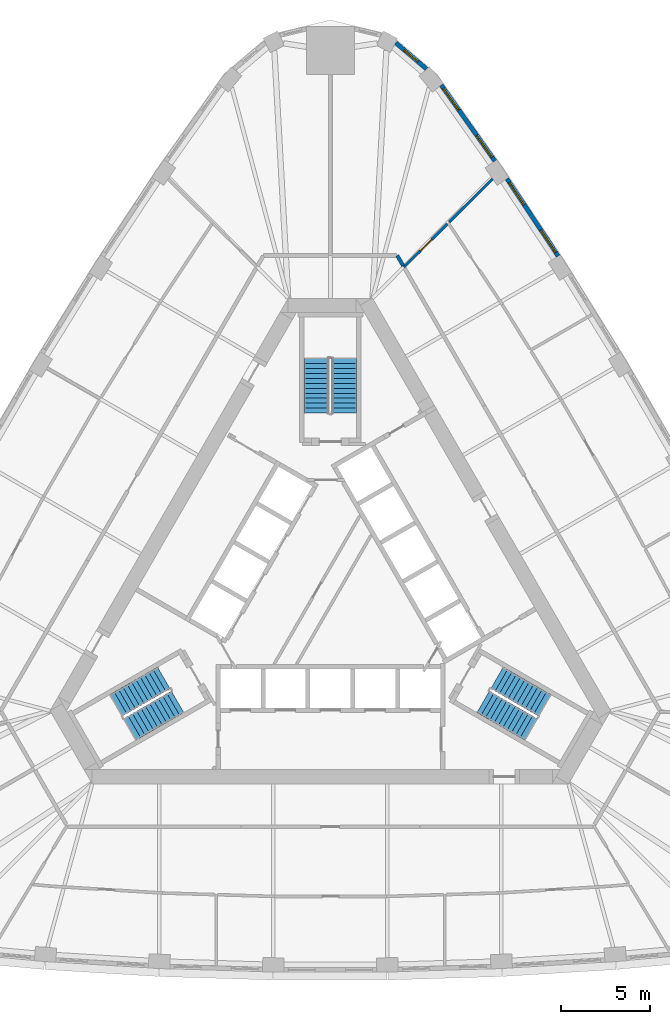
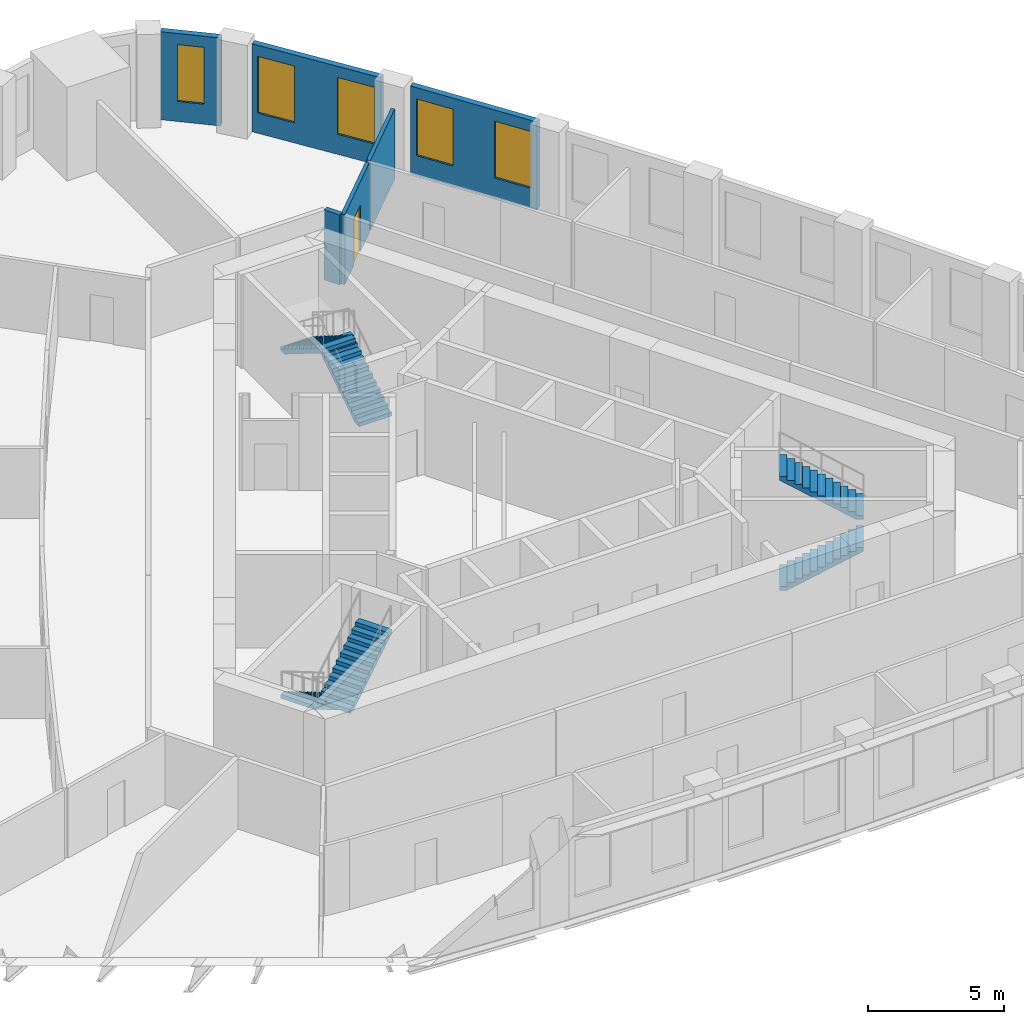
# One storey, part 9 of 10: 6 stair flights, 6 walls, 5 windows, 1 door, 6 openings, 3 elements without a shape of their own.
"""IFC4 building model written with IfcOpenShell, lengths in metres."""

from ifc_helpers import new_model, si_unit, direction, frame, frame_2d, origin, place, context, subcontext, project, spatial, polyline, rectangle, outline, extrude, material, layer, layer_set, type_object, element, fill, aggregate, save


model = new_model("IFC4")

# Units and contexts
model_context = context("Model", 3, precision=1e-05, world=origin(), true_north=direction((0.0, 1.0)))
body_context = subcontext(model_context, "Body", "Model", "MODEL_VIEW")
ifc_project = project(units=[si_unit("LENGTHUNIT", "METRE"), si_unit("AREAUNIT", "SQUARE_METRE"), si_unit("VOLUMEUNIT", "CUBIC_METRE"), si_unit("PLANEANGLEUNIT", "RADIAN"), si_unit("MASSUNIT", "GRAM", prefix="KILO")], contexts=[model_context])

# Site, building, storey
site_placement = place(None, origin())
site = spatial("IfcSite", under=ifc_project, at=site_placement, CompositionType="ELEMENT")
building_placement = place(site_placement, origin())
building = spatial("IfcBuilding", under=site, at=building_placement, Name="Mestral Congress Tower", CompositionType="ELEMENT")
storey_placement = place(building_placement, frame((0.0, 0.0, 150.0)))
storey = spatial("IfcBuildingStorey", under=building, at=storey_placement, Name="L35", CompositionType="ELEMENT", Elevation=150.0)

# Wall, openings, windows
ifc_material_1 = material(Name="Precast concrete C40/50 with limestone facing", Category="masonry")
ifc_layer_1 = layer(ifc_material_1, 0.239990234375)
ifc_layer_set_1 = layer_set([ifc_layer_1], Name="Precast concrete C40/50 with limestone facing")
wall_type_1 = type_object("IfcWallType", Name="Facade stone wall 240", PredefinedType="SOLIDWALL", material=ifc_layer_set_1)
wall_1_placement = place(storey_placement, frame((12.783203125, 19.170654296875, 0.0), z_axis=(0.0, 0.0, 1.0), x_axis=(-0.551892811511, 0.833915058386, 0.0)))
wall_1 = element("IfcWall", 1, at=wall_1_placement, inside=storey, type_object=wall_type_1, Name="Facade wall F1-05", PredefinedType="SOLIDWALL", context=body_context, shape_type="SweptSolid", body=[
    extrude(rectangle(XDim=5.20361328125, YDim=0.239990234375, at=frame_2d((2.601806640625, 0.0))), origin(), (0.0, 0.0, 1.0), 3.949951171875),
])
opening_1_placement = place(wall_1_placement, frame((0.248291015625, 0.0, 0.89990234375)))
opening_1 = element("IfcOpeningElement", 2, at=opening_1_placement, cuts=wall_1, Name="Opening W4", PredefinedType="OPENING", context=body_context, shape_type="SweptSolid", body=[
    extrude(rectangle(XDim=1.5, YDim=2.550048828125, at=frame_2d((0.75, 1.27490234375))), frame((0.0, 0.1298828125, 0.0), z_axis=(0.0, -1.0, 0.0), x_axis=(1.0, 0.0, 0.0)), (0.0, 0.0, 1.0), 0.260009765625),
])
opening_2_placement = place(wall_1_placement, frame((3.455078125, 0.0, 0.89990234375)))
opening_2 = element("IfcOpeningElement", 3, at=opening_2_placement, cuts=wall_1, Name="Opening W4", PredefinedType="OPENING", context=body_context, shape_type="SweptSolid", body=[
    extrude(rectangle(XDim=1.5, YDim=2.550048828125, at=frame_2d((0.75, 1.27490234375))), frame((0.0, 0.1298828125, 0.0), z_axis=(0.0, -1.0, 0.0), x_axis=(1.0, 0.0, 0.0)), (0.0, 0.0, 1.0), 0.260009765625),
])
ifc_material_2 = material(Name="Clear low-emissivity double glazing", Category="glass")
window_type_1 = type_object("IfcWindowType", Name="Facade punched window 1500 x 2550 sill 900", PartitioningType="SINGLE_PANEL", PredefinedType="WINDOW", material=ifc_material_2)
window_1_placement = place(opening_1_placement, origin())
window_1 = element("IfcWindow", 4, at=window_1_placement, inside=storey, type_object=window_type_1, Name="Window F1-05a", OverallHeight=2.550048828125, OverallWidth=1.5, PartitioningType="SINGLE_PANEL", PredefinedType="WINDOW", context=body_context, shape_type="SweptSolid", body=[
    extrude(rectangle(XDim=1.5, YDim=2.550048828125, at=frame_2d((0.75, 1.27490234375))), frame((0.0, 0.0400390625, 0.0), z_axis=(0.0, -1.0, 0.0), x_axis=(1.0, 0.0, 0.0)), (0.0, 0.0, 1.0), 0.06005859375),
])
fill(opening_1, window_1)
window_2_placement = place(opening_2_placement, origin())
window_2 = element("IfcWindow", 5, at=window_2_placement, inside=storey, type_object=window_type_1, Name="Window F1-05b", OverallHeight=2.550048828125, OverallWidth=1.5, PartitioningType="SINGLE_PANEL", PredefinedType="WINDOW", context=body_context, shape_type="SweptSolid", body=[
    extrude(rectangle(XDim=1.5, YDim=2.550048828125, at=frame_2d((0.75, 1.27490234375))), frame((0.0, 0.0400390625, 0.0), z_axis=(0.0, -1.0, 0.0), x_axis=(1.0, 0.0, 0.0)), (0.0, 0.0, 1.0), 0.06005859375),
])
fill(opening_2, window_2)

wall_2_placement = place(storey_placement, frame((9.231201171875, 24.50439453125, 0.0), z_axis=(0.0, 0.0, 1.0), x_axis=(-0.577115207679, 0.816662743772, 0.0)))
wall_2 = element("IfcWall", 6, at=wall_2_placement, inside=storey, type_object=wall_type_1, Name="Facade wall F1-06", PredefinedType="SOLIDWALL", context=body_context, shape_type="SweptSolid", body=[
    extrude(rectangle(XDim=5.213134765625, YDim=0.239990234375, at=frame_2d((2.6064453125, 0.0))), origin(), (0.0, 0.0, 1.0), 3.949951171875),
])
opening_3_placement = place(wall_2_placement, frame((0.2607421875, 0.0, 0.89990234375)))
opening_3 = element("IfcOpeningElement", 7, at=opening_3_placement, cuts=wall_2, Name="Opening W4", PredefinedType="OPENING", context=body_context, shape_type="SweptSolid", body=[
    extrude(rectangle(XDim=1.5, YDim=2.550048828125, at=frame_2d((0.75, 1.27490234375))), frame((0.0, 0.1298828125, 0.0), z_axis=(0.0, -1.0, 0.0), x_axis=(1.0, 0.0, 0.0)), (0.0, 0.0, 1.0), 0.260009765625),
])
opening_4_placement = place(wall_2_placement, frame((3.492431640625, 0.0, 0.89990234375)))
opening_4 = element("IfcOpeningElement", 8, at=opening_4_placement, cuts=wall_2, Name="Opening W4", PredefinedType="OPENING", context=body_context, shape_type="SweptSolid", body=[
    extrude(rectangle(XDim=1.5, YDim=2.550048828125, at=frame_2d((0.75, 1.27490234375))), frame((0.0, 0.1298828125, 0.0), z_axis=(0.0, -1.0, 0.0), x_axis=(1.0, 0.0, 0.0)), (0.0, 0.0, 1.0), 0.260009765625),
])
window_3_placement = place(opening_3_placement, origin())
window_3 = element("IfcWindow", 9, at=window_3_placement, inside=storey, type_object=window_type_1, Name="Window F1-06a", OverallHeight=2.550048828125, OverallWidth=1.5, PartitioningType="SINGLE_PANEL", PredefinedType="WINDOW", context=body_context, shape_type="SweptSolid", body=[
    extrude(rectangle(XDim=1.5, YDim=2.550048828125, at=frame_2d((0.75, 1.27490234375))), frame((0.0, 0.0400390625, 0.0), z_axis=(0.0, -1.0, 0.0), x_axis=(1.0, 0.0, 0.0)), (0.0, 0.0, 1.0), 0.06005859375),
])
fill(opening_3, window_3)
window_4_placement = place(opening_4_placement, origin())
window_4 = element("IfcWindow", 10, at=window_4_placement, inside=storey, type_object=window_type_1, Name="Window F1-06b", OverallHeight=2.550048828125, OverallWidth=1.5, PartitioningType="SINGLE_PANEL", PredefinedType="WINDOW", context=body_context, shape_type="SweptSolid", body=[
    extrude(rectangle(XDim=1.5, YDim=2.550048828125, at=frame_2d((0.75, 1.27490234375))), frame((0.0, 0.0400390625, 0.0), z_axis=(0.0, -1.0, 0.0), x_axis=(1.0, 0.0, 0.0)), (0.0, 0.0, 1.0), 0.06005859375),
])
fill(opening_4, window_4)

# Wall, opening, window
wall_3_placement = place(storey_placement, frame((5.3916015625, 29.672119140625, 0.0), z_axis=(0.0, 0.0, 1.0), x_axis=(-0.761419744247, 0.648259186645, 0.0)))
wall_3 = element("IfcWall", 11, at=wall_3_placement, inside=storey, type_object=wall_type_1, Name="Facade wall K1-0", PredefinedType="SOLIDWALL", context=body_context, shape_type="SweptSolid", body=[
    extrude(rectangle(XDim=2.250244140625, YDim=0.239990234375, at=frame_2d((1.125, 0.0))), origin(), (0.0, 0.0, 1.0), 3.949951171875),
])
opening_5_placement = place(wall_3_placement, frame((0.625244140625, 0.0, 0.89990234375)))
opening_5 = element("IfcOpeningElement", 12, at=opening_5_placement, cuts=wall_3, Name="Opening W5", PredefinedType="OPENING", context=body_context, shape_type="SweptSolid", body=[
    extrude(rectangle(XDim=1.0, YDim=2.550048828125, at=frame_2d((0.5, 1.27490234375))), frame((0.0, 0.1298828125, 0.0), z_axis=(0.0, -1.0, 0.0), x_axis=(1.0, 0.0, 0.0)), (0.0, 0.0, 1.0), 0.260009765625),
])
window_type_2 = type_object("IfcWindowType", Name="Facade punched window 1000 x 2550 sill 900", PartitioningType="SINGLE_PANEL", PredefinedType="WINDOW", material=ifc_material_2)
window_5_placement = place(opening_5_placement, origin())
window_5 = element("IfcWindow", 13, at=window_5_placement, inside=storey, type_object=window_type_2, Name="Window K1-0", OverallHeight=2.550048828125, OverallWidth=1.0, PartitioningType="SINGLE_PANEL", PredefinedType="WINDOW", context=body_context, shape_type="SweptSolid", body=[
    extrude(rectangle(XDim=1.0, YDim=2.550048828125, at=frame_2d((0.5, 1.27490234375))), frame((0.0, 0.0400390625, 0.0), z_axis=(0.0, -1.0, 0.0), x_axis=(1.0, 0.0, 0.0)), (0.0, 0.0, 1.0), 0.06005859375),
])
fill(opening_5, window_5)

# Wall
ifc_material_3 = material(Name="Plasterboard partition on steel studs", Category="steel")
ifc_layer_2 = layer(ifc_material_3, 0.14990234375)
ifc_layer_set_2 = layer_set([ifc_layer_2], Name="Plasterboard partition on steel studs")
wall_type_2 = type_object("IfcWallType", Name="Office partition 150", PredefinedType="PARTITIONING", material=ifc_layer_set_2)
wall_4_placement = place(storey_placement, frame((6.67041015625, 21.07763671875, 0.0), z_axis=(0.0, 0.0, 1.0), x_axis=(0.709236178776, 0.704970951681, 0.0)))
element("IfcWall", 14, at=wall_4_placement, inside=storey, type_object=wall_type_2, Name="Partition", PredefinedType="PARTITIONING", context=body_context, shape_type="SweptSolid", body=[
    extrude(rectangle(XDim=3.434326171875, YDim=0.14990234375, at=frame_2d((1.71728515625, 0.0))), origin(), (0.0, 0.0, 1.0), 3.14990234375),
])

# Wall, opening, door
wall_5_placement = place(storey_placement, frame((4.1279296875, 18.55029296875, 0.0), z_axis=(0.0, 0.0, 1.0), x_axis=(0.709237676072, 0.704969445324, 0.0)))
wall_5 = element("IfcWall", 15, at=wall_5_placement, inside=storey, type_object=wall_type_2, Name="Partition", PredefinedType="PARTITIONING", context=body_context, shape_type="SweptSolid", body=[
    extrude(rectangle(XDim=3.431884765625, YDim=0.14990234375, at=frame_2d((1.7158203125, 0.0))), origin(), (0.0, 0.0, 1.0), 3.14990234375),
])
opening_6_placement = place(wall_5_placement, frame((1.300048828125, 0.0, 0.0)))
opening_6 = element("IfcOpeningElement", 16, at=opening_6_placement, cuts=wall_5, Name="Opening O01-012", PredefinedType="OPENING", context=body_context, shape_type="SweptSolid", body=[
    extrude(rectangle(XDim=0.89990234375, YDim=2.10009765625, at=frame_2d((0.449951171875, 1.050048828125))), frame((0.0, 0.0849609375, 0.0), z_axis=(0.0, -1.0, 0.0), x_axis=(1.0, 0.0, 0.0)), (0.0, 0.0, 1.0), 0.169921875),
])
ifc_material_4 = material(Name="Timber door set", Category="wood")
door_type = type_object("IfcDoorType", Name="Office door 900x2100", OperationType="SINGLE_SWING_LEFT", PredefinedType="DOOR", material=ifc_material_4)
door_placement = place(opening_6_placement, origin())
door = element("IfcDoor", 17, at=door_placement, inside=storey, type_object=door_type, Name="Door O01-012", OperationType="SINGLE_SWING_RIGHT", OverallHeight=2.10009765625, OverallWidth=0.89990234375, PredefinedType="DOOR", context=body_context, shape_type="SweptSolid", body=[
    extrude(rectangle(XDim=0.89990234375, YDim=2.10009765625, at=frame_2d((0.449951171875, 1.050048828125))), frame((0.0, 0.02490234375, 0.0), z_axis=(0.0, -1.0, 0.0), x_axis=(1.0, 0.0, 0.0)), (0.0, 0.0, 1.0), 0.050048828125),
])
fill(opening_6, door)

# Wall
ifc_material_5 = material(Name="Dense masonry wall, plastered", Category="masonry")
ifc_layer_3 = layer(ifc_material_5, 0.199951171875)
ifc_layer_set_3 = layer_set([ifc_layer_3], Name="Dense masonry wall, plastered")
wall_type_3 = type_object("IfcWallType", Name="Office tenancy wall 200", PredefinedType="PARTITIONING", material=ifc_layer_set_3)
wall_6_placement = place(storey_placement, frame((4.089111328125, 18.617431640625, 0.0), z_axis=(0.0, 0.0, 1.0), x_axis=(-0.500120377296, 0.865955892764, 0.0)))
element("IfcWall", 18, at=wall_6_placement, inside=storey, type_object=wall_type_3, Name="Tenancy wall", PredefinedType="PARTITIONING", context=body_context, shape_type="SweptSolid", body=[
    extrude(rectangle(XDim=0.672607421875, YDim=0.199951171875, at=frame_2d((0.33642578125, 0.0))), origin(), (0.0, 0.0, 1.0), 3.14990234375),
])

# Stair, stair flights
ifc_material_6 = material(Name="Concrete C60/75", Category="concrete")
stair_type = type_object("IfcStairType", Name="Exit stair 1400", PredefinedType="HALF_TURN_STAIR", material=ifc_material_6)
placement = place(storey_placement, origin())
stair_1 = element("IfcStair", 19, at=placement, inside=storey, type_object=stair_type, Name="L35 ST1", PredefinedType="HALF_TURN_STAIR")
stair_flight_type = type_object("IfcStairFlightType", Name="Exit stair flight 1400", PredefinedType="STRAIGHT", material=ifc_material_6)
stair_flight_1_placement = place(storey_placement, frame((8.575927734375, -5.84619140625, 0.0), z_axis=(0.0, 0.0, 1.0), x_axis=(0.866025403784, -0.5, 0.0)))
stair_flight_1 = element("IfcStairFlight", 20, at=stair_flight_1_placement, type_object=stair_flight_type, Name="ST1 flight 1", NumberOfRisers=12, NumberOfTreads=11, PredefinedType="STRAIGHT", RiserHeight=0.175, TreadLength=0.28, context=body_context, shape_type="SweptSolid", body=[
    extrude(outline(polyline([(0.0, 0.0), (0.0, 0.175048828125), (0.280029296875, 0.175048828125), (0.280029296875, 0.35009765625), (0.56005859375, 0.35009765625), (0.56005859375, 0.52490234375), (0.840087890625, 0.52490234375), (0.840087890625, 0.699951171875), (1.1201171875, 0.699951171875), (1.1201171875, 0.875), (1.39990234375, 0.875), (1.39990234375, 1.050048828125), (1.679931640625, 1.050048828125), (1.679931640625, 1.22509765625), (1.9599609375, 1.22509765625), (1.9599609375, 1.39990234375), (2.239990234375, 1.39990234375), (2.239990234375, 1.574951171875), (2.52001953125, 1.574951171875), (2.52001953125, 1.75), (2.800048828125, 1.75), (2.800048828125, 1.925048828125), (3.080078125, 1.925048828125), (3.080078125, 2.10009765625), (3.080078125, 1.748291015625), (0.28271484375, 0.0), (0.0, 0.0)])), frame((0.0, 0.699951171875, 0.0), z_axis=(0.0, -1.0, 0.0), x_axis=(1.0, 0.0, 0.0)), (0.0, 0.0, 1.0), 1.39990234375),
])
stair_flight_2_placement = place(storey_placement, frame((12.018310546875, -6.0439453125, 2.10009765625), z_axis=(0.0, 0.0, 1.0), x_axis=(-0.866025403784, 0.5, 0.0)))
stair_flight_2 = element("IfcStairFlight", 21, at=stair_flight_2_placement, type_object=stair_flight_type, Name="ST1 flight 2", NumberOfRisers=12, NumberOfTreads=11, PredefinedType="STRAIGHT", RiserHeight=0.175, TreadLength=0.28, context=body_context, shape_type="SweptSolid", body=[
    extrude(outline(polyline([(0.0, 0.0), (0.0, 0.175048828125), (0.280029296875, 0.175048828125), (0.280029296875, 0.35009765625), (0.56005859375, 0.35009765625), (0.56005859375, 0.52490234375), (0.840087890625, 0.52490234375), (0.840087890625, 0.699951171875), (1.1201171875, 0.699951171875), (1.1201171875, 0.875), (1.39990234375, 0.875), (1.39990234375, 1.050048828125), (1.679931640625, 1.050048828125), (1.679931640625, 1.22509765625), (1.9599609375, 1.22509765625), (1.9599609375, 1.39990234375), (2.239990234375, 1.39990234375), (2.239990234375, 1.574951171875), (2.52001953125, 1.574951171875), (2.52001953125, 1.75), (2.800048828125, 1.75), (2.800048828125, 1.925048828125), (3.080078125, 1.925048828125), (3.080078125, 2.10009765625), (3.080078125, 1.748291015625), (0.28271484375, 0.0), (0.0, 0.0)])), frame((0.0, 0.699951171875, 0.0), z_axis=(0.0, -1.0, 0.0), x_axis=(1.0, 0.0, 0.0)), (0.0, 0.0, 1.0), 1.39990234375),
])
aggregate(stair_1, [stair_flight_1, stair_flight_2])

stair_2 = element("IfcStair", 22, at=placement, inside=storey, type_object=stair_type, Name="L35 ST2", PredefinedType="HALF_TURN_STAIR")
stair_flight_3_placement = place(storey_placement, frame((0.77490234375, 10.35009765625, 0.0), z_axis=(0.0, 0.0, 1.0), x_axis=(0.0, 1.0, 0.0)))
stair_flight_3 = element("IfcStairFlight", 23, at=stair_flight_3_placement, type_object=stair_flight_type, Name="ST2 flight 1", NumberOfRisers=12, NumberOfTreads=11, PredefinedType="STRAIGHT", RiserHeight=0.175, TreadLength=0.28, context=body_context, shape_type="SweptSolid", body=[
    extrude(outline(polyline([(0.0, 0.0), (0.0, 0.175048828125), (0.280029296875, 0.175048828125), (0.280029296875, 0.35009765625), (0.56005859375, 0.35009765625), (0.56005859375, 0.52490234375), (0.840087890625, 0.52490234375), (0.840087890625, 0.699951171875), (1.1201171875, 0.699951171875), (1.1201171875, 0.875), (1.39990234375, 0.875), (1.39990234375, 1.050048828125), (1.679931640625, 1.050048828125), (1.679931640625, 1.22509765625), (1.9599609375, 1.22509765625), (1.9599609375, 1.39990234375), (2.239990234375, 1.39990234375), (2.239990234375, 1.574951171875), (2.52001953125, 1.574951171875), (2.52001953125, 1.75), (2.800048828125, 1.75), (2.800048828125, 1.925048828125), (3.080078125, 1.925048828125), (3.080078125, 2.10009765625), (3.080078125, 1.748291015625), (0.28271484375, 0.0), (0.0, 0.0)])), frame((0.0, 0.699951171875, 0.0), z_axis=(0.0, -1.0, 0.0), x_axis=(1.0, 0.0, 0.0)), (0.0, 0.0, 1.0), 1.39990234375),
])
stair_flight_4_placement = place(storey_placement, frame((-0.77490234375, 13.429931640625, 2.10009765625), z_axis=(0.0, 0.0, 1.0), x_axis=(0.0, -1.0, 0.0)))
stair_flight_4 = element("IfcStairFlight", 24, at=stair_flight_4_placement, type_object=stair_flight_type, Name="ST2 flight 2", NumberOfRisers=12, NumberOfTreads=11, PredefinedType="STRAIGHT", RiserHeight=0.175, TreadLength=0.28, context=body_context, shape_type="SweptSolid", body=[
    extrude(outline(polyline([(0.0, 0.0), (0.0, 0.175048828125), (0.280029296875, 0.175048828125), (0.280029296875, 0.35009765625), (0.56005859375, 0.35009765625), (0.56005859375, 0.52490234375), (0.840087890625, 0.52490234375), (0.840087890625, 0.699951171875), (1.1201171875, 0.699951171875), (1.1201171875, 0.875), (1.39990234375, 0.875), (1.39990234375, 1.050048828125), (1.679931640625, 1.050048828125), (1.679931640625, 1.22509765625), (1.9599609375, 1.22509765625), (1.9599609375, 1.39990234375), (2.239990234375, 1.39990234375), (2.239990234375, 1.574951171875), (2.52001953125, 1.574951171875), (2.52001953125, 1.75), (2.800048828125, 1.75), (2.800048828125, 1.925048828125), (3.080078125, 1.925048828125), (3.080078125, 2.10009765625), (3.080078125, 1.748291015625), (0.28271484375, 0.0), (0.0, 0.0)])), frame((0.0, 0.699951171875, 0.0), z_axis=(0.0, -1.0, 0.0), x_axis=(1.0, 0.0, 0.0)), (0.0, 0.0, 1.0), 1.39990234375),
])
aggregate(stair_2, [stair_flight_3, stair_flight_4])

stair_3 = element("IfcStair", 25, at=placement, inside=storey, type_object=stair_type, Name="L35 ST3", PredefinedType="HALF_TURN_STAIR")
stair_flight_5_placement = place(storey_placement, frame((-9.350830078125, -4.50390625, 0.0), z_axis=(0.0, 0.0, 1.0), x_axis=(-0.866025403784, -0.5, 0.0)))
stair_flight_5 = element("IfcStairFlight", 26, at=stair_flight_5_placement, type_object=stair_flight_type, Name="ST3 flight 1", NumberOfRisers=12, NumberOfTreads=11, PredefinedType="STRAIGHT", RiserHeight=0.175, TreadLength=0.28, context=body_context, shape_type="SweptSolid", body=[
    extrude(outline(polyline([(0.0, 0.0), (0.0, 0.175048828125), (0.280029296875, 0.175048828125), (0.280029296875, 0.35009765625), (0.56005859375, 0.35009765625), (0.56005859375, 0.52490234375), (0.840087890625, 0.52490234375), (0.840087890625, 0.699951171875), (1.1201171875, 0.699951171875), (1.1201171875, 0.875), (1.39990234375, 0.875), (1.39990234375, 1.050048828125), (1.679931640625, 1.050048828125), (1.679931640625, 1.22509765625), (1.9599609375, 1.22509765625), (1.9599609375, 1.39990234375), (2.239990234375, 1.39990234375), (2.239990234375, 1.574951171875), (2.52001953125, 1.574951171875), (2.52001953125, 1.75), (2.800048828125, 1.75), (2.800048828125, 1.925048828125), (3.080078125, 1.925048828125), (3.080078125, 2.10009765625), (3.080078125, 1.748291015625), (0.28271484375, 0.0), (0.0, 0.0)])), frame((0.0, 0.699951171875, 0.0), z_axis=(0.0, -1.0, 0.0), x_axis=(1.0, 0.0, 0.0)), (0.0, 0.0, 1.0), 1.39990234375),
])
stair_flight_6_placement = place(storey_placement, frame((-11.2431640625, -7.38623046875, 2.10009765625), z_axis=(0.0, 0.0, 1.0), x_axis=(0.866025403784, 0.5, 0.0)))
stair_flight_6 = element("IfcStairFlight", 27, at=stair_flight_6_placement, type_object=stair_flight_type, Name="ST3 flight 2", NumberOfRisers=12, NumberOfTreads=11, PredefinedType="STRAIGHT", RiserHeight=0.175, TreadLength=0.28, context=body_context, shape_type="SweptSolid", body=[
    extrude(outline(polyline([(0.0, 0.0), (0.0, 0.175048828125), (0.280029296875, 0.175048828125), (0.280029296875, 0.35009765625), (0.56005859375, 0.35009765625), (0.56005859375, 0.52490234375), (0.840087890625, 0.52490234375), (0.840087890625, 0.699951171875), (1.1201171875, 0.699951171875), (1.1201171875, 0.875), (1.39990234375, 0.875), (1.39990234375, 1.050048828125), (1.679931640625, 1.050048828125), (1.679931640625, 1.22509765625), (1.9599609375, 1.22509765625), (1.9599609375, 1.39990234375), (2.239990234375, 1.39990234375), (2.239990234375, 1.574951171875), (2.52001953125, 1.574951171875), (2.52001953125, 1.75), (2.800048828125, 1.75), (2.800048828125, 1.925048828125), (3.080078125, 1.925048828125), (3.080078125, 2.10009765625), (3.080078125, 1.748291015625), (0.28271484375, 0.0), (0.0, 0.0)])), frame((0.0, 0.699951171875, 0.0), z_axis=(0.0, -1.0, 0.0), x_axis=(1.0, 0.0, 0.0)), (0.0, 0.0, 1.0), 1.39990234375),
])
aggregate(stair_3, [stair_flight_5, stair_flight_6])

save(model, "model.ifc")
